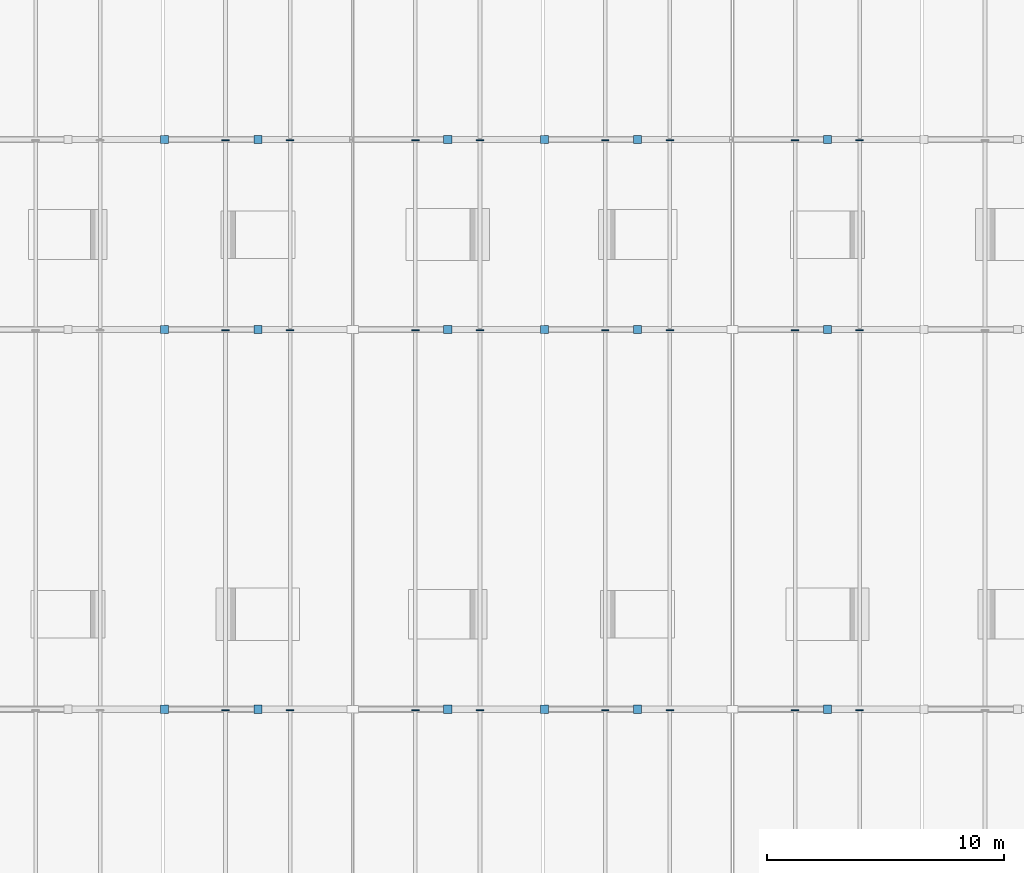
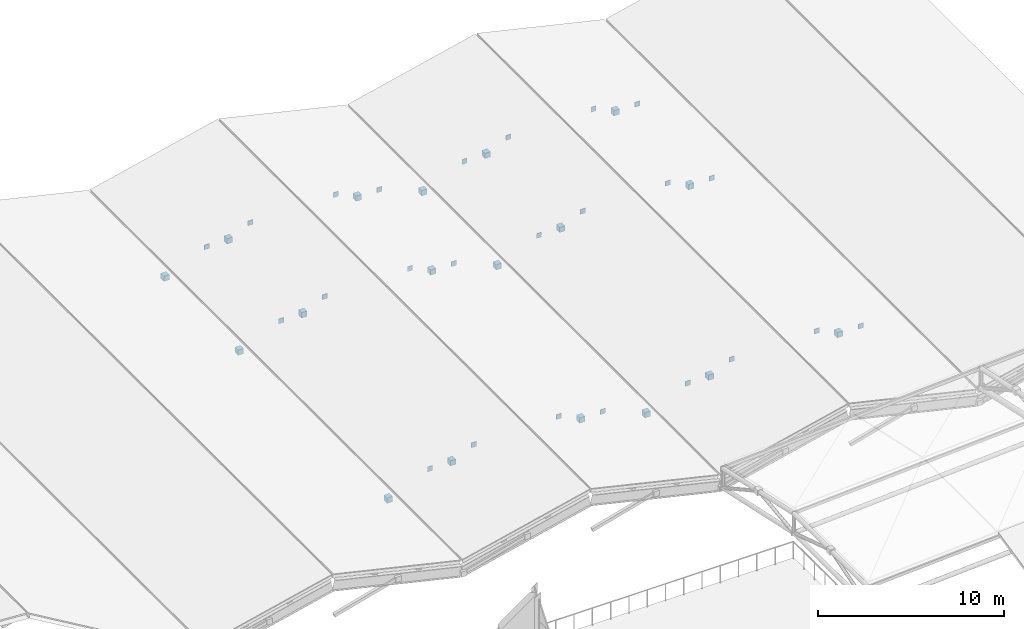
# One storey, part 54 of 67: 42 discrete accessories.
"""IFC4 building model written with IfcOpenShell, lengths in metres."""

from ifc_helpers import new_model, si_unit, direction, frame, origin, origin_2d, place, context, subcontext, project, spatial, rectangle, extrude, material, type_object, element, save


model = new_model("IFC4")

# Units and contexts
model_context = context("Model", 3, precision=1e-05, world=origin(), true_north=direction((0.0, 1.0)))
body_context = subcontext(model_context, "Body", "Model", "MODEL_VIEW")
ifc_project = project(units=[si_unit("LENGTHUNIT", "METRE"), si_unit("AREAUNIT", "SQUARE_METRE"), si_unit("VOLUMEUNIT", "CUBIC_METRE"), si_unit("PLANEANGLEUNIT", "RADIAN"), si_unit("MASSUNIT", "GRAM", prefix="KILO")], contexts=[model_context])

# Site, building, storey
site_placement = place(None, origin())
site = spatial("IfcSite", under=ifc_project, at=site_placement, CompositionType="ELEMENT")
building_placement = place(site_placement, origin())
building = spatial("IfcBuilding", under=site, at=building_placement, Name="Drelvath Fold Interchange", CompositionType="ELEMENT")
storey_placement = place(building_placement, frame((0.0, 0.0, 15.60009765625)))
storey = spatial("IfcBuildingStorey", under=building, at=storey_placement, Name="L03", CompositionType="ELEMENT", Elevation=15.60009765625)

# Discrete accessories
ifc_material = material(Name="Steel ASTM A572 Grade 50", Category="steel")
discrete_accessory_type = type_object("IfcDiscreteAccessoryType", Name="AC-CAP380", PredefinedType="BRACKET", material=ifc_material)
for number, where, z_axis, x_axis, name in (
    (1, (36.074951171875, 67.0, -0.42236328125), (0.0, 0.0, 1.0), (1.0, 0.0, 0.0), "Welded hollow member end cap 383"),
    (2, (40.0048828125, 67.0, 0.654296875), (0.0, 0.0, 1.0), (1.0, 0.0, 0.0), "Welded hollow member end cap 384"),
    (3, (36.074951171875, 83.0, -0.42236328125), (0.0, 0.0, 1.0), (1.0, 0.0, 0.0), "Welded hollow member end cap 386"),
    (4, (40.0048828125, 83.0, 0.654296875), (0.0, 0.0, 1.0), (1.0, 0.0, 0.0), "Welded hollow member end cap 387"),
    (5, (36.074951171875, 91.0, -0.42236328125), (0.0, 0.0, 1.0), (1.0, 0.0, 0.0), "Welded hollow member end cap 389"),
    (6, (40.0048828125, 91.0, 0.654296875), (0.0, 0.0, 1.0), (1.0, 0.0, 0.0), "Welded hollow member end cap 390"),
):
    element("IfcDiscreteAccessory", number, at=place(storey_placement, frame(where, z_axis=z_axis, x_axis=x_axis)), inside=storey, type_object=discrete_accessory_type, Name=name, PredefinedType="BRACKET", context=body_context, shape_type="SweptSolid", body=[
        extrude(rectangle(XDim=0.343017578125, YDim=0.343017578125, at=origin_2d()), origin(), (0.0, 0.0, 1.0), 0.343017578125),
    ])
for number, where, z_axis, x_axis, name in (
    (7, (38.639892578125, 66.965087890625, 0.6708984375), (0.0, 0.0, 1.0), (1.0, 0.0, 0.0), "Welded hollow member end cap 395"),
    (8, (38.639892578125, 82.965087890625, 0.6708984375), (0.0, 0.0, 1.0), (1.0, 0.0, 0.0), "Welded hollow member end cap 396"),
    (9, (38.639892578125, 90.965087890625, 0.6708984375), (0.0, 0.0, 1.0), (1.0, 0.0, 0.0), "Welded hollow member end cap 397"),
    (10, (41.360107421875, 66.965087890625, 1.2998046875), (0.0, 0.0, 1.0), (1.0, 0.0, 0.0), "Welded hollow member end cap 400"),
    (11, (41.360107421875, 82.965087890625, 1.2998046875), (0.0, 0.0, 1.0), (1.0, 0.0, 0.0), "Welded hollow member end cap 401"),
    (12, (41.360107421875, 90.965087890625, 1.2998046875), (0.0, 0.0, 1.0), (1.0, 0.0, 0.0), "Welded hollow member end cap 402"),
):
    element("IfcDiscreteAccessory", number, at=place(storey_placement, frame(where, z_axis=z_axis, x_axis=x_axis)), inside=storey, type_object=discrete_accessory_type, Name=name, PredefinedType="BRACKET", context=body_context, shape_type="SweptSolid", body=[
        extrude(rectangle(XDim=0.31396484375, YDim=0.0400390625, at=origin_2d()), origin(), (0.0, 0.0, 1.0), 0.31396484375),
    ])
for number, where, z_axis, x_axis, name in (
    (13, (48.0048828125, 67.0, 0.654296875), (0.0, 0.0, 1.0), (1.0, 0.0, 0.0), "Welded hollow member end cap 407"),
    (14, (48.0048828125, 83.0, 0.654296875), (0.0, 0.0, 1.0), (1.0, 0.0, 0.0), "Welded hollow member end cap 409"),
    (15, (48.0048828125, 91.0, 0.654296875), (0.0, 0.0, 1.0), (1.0, 0.0, 0.0), "Welded hollow member end cap 411"),
):
    element("IfcDiscreteAccessory", number, at=place(storey_placement, frame(where, z_axis=z_axis, x_axis=x_axis)), inside=storey, type_object=discrete_accessory_type, Name=name, PredefinedType="BRACKET", context=body_context, shape_type="SweptSolid", body=[
        extrude(rectangle(XDim=0.343017578125, YDim=0.343017578125, at=origin_2d()), origin(), (0.0, 0.0, 1.0), 0.343017578125),
    ])
for number, where, z_axis, x_axis, name in (
    (16, (46.639892578125, 66.965087890625, 1.2998046875), (0.0, 0.0, 1.0), (1.0, 0.0, 0.0), "Welded hollow member end cap 415"),
    (17, (46.639892578125, 82.965087890625, 1.2998046875), (0.0, 0.0, 1.0), (1.0, 0.0, 0.0), "Welded hollow member end cap 416"),
    (18, (46.639892578125, 90.965087890625, 1.2998046875), (0.0, 0.0, 1.0), (1.0, 0.0, 0.0), "Welded hollow member end cap 417"),
    (19, (49.360107421875, 66.965087890625, 0.6708984375), (0.0, 0.0, 1.0), (1.0, 0.0, 0.0), "Welded hollow member end cap 420"),
    (20, (49.360107421875, 82.965087890625, 0.6708984375), (0.0, 0.0, 1.0), (1.0, 0.0, 0.0), "Welded hollow member end cap 421"),
    (21, (49.360107421875, 90.965087890625, 0.6708984375), (0.0, 0.0, 1.0), (1.0, 0.0, 0.0), "Welded hollow member end cap 422"),
):
    element("IfcDiscreteAccessory", number, at=place(storey_placement, frame(where, z_axis=z_axis, x_axis=x_axis)), inside=storey, type_object=discrete_accessory_type, Name=name, PredefinedType="BRACKET", context=body_context, shape_type="SweptSolid", body=[
        extrude(rectangle(XDim=0.31396484375, YDim=0.0400390625, at=origin_2d()), origin(), (0.0, 0.0, 1.0), 0.31396484375),
    ])
for number, where, z_axis, x_axis, name in (
    (22, (52.074951171875, 67.0, -0.42236328125), (0.0, 0.0, 1.0), (1.0, 0.0, 0.0), "Welded hollow member end cap 428"),
    (23, (56.0048828125, 67.0, 0.654296875), (0.0, 0.0, 1.0), (1.0, 0.0, 0.0), "Welded hollow member end cap 429"),
    (24, (52.074951171875, 83.0, -0.42236328125), (0.0, 0.0, 1.0), (1.0, 0.0, 0.0), "Welded hollow member end cap 431"),
    (25, (56.0048828125, 83.0, 0.654296875), (0.0, 0.0, 1.0), (1.0, 0.0, 0.0), "Welded hollow member end cap 432"),
    (26, (52.074951171875, 91.0, -0.42236328125), (0.0, 0.0, 1.0), (1.0, 0.0, 0.0), "Welded hollow member end cap 434"),
    (27, (56.0048828125, 91.0, 0.654296875), (0.0, 0.0, 1.0), (1.0, 0.0, 0.0), "Welded hollow member end cap 435"),
):
    element("IfcDiscreteAccessory", number, at=place(storey_placement, frame(where, z_axis=z_axis, x_axis=x_axis)), inside=storey, type_object=discrete_accessory_type, Name=name, PredefinedType="BRACKET", context=body_context, shape_type="SweptSolid", body=[
        extrude(rectangle(XDim=0.343017578125, YDim=0.343017578125, at=origin_2d()), origin(), (0.0, 0.0, 1.0), 0.343017578125),
    ])
for number, where, z_axis, x_axis, name in (
    (28, (54.639892578125, 66.965087890625, 0.6708984375), (0.0, 0.0, 1.0), (1.0, 0.0, 0.0), "Welded hollow member end cap 440"),
    (29, (54.639892578125, 82.965087890625, 0.6708984375), (0.0, 0.0, 1.0), (1.0, 0.0, 0.0), "Welded hollow member end cap 441"),
    (30, (54.639892578125, 90.965087890625, 0.6708984375), (0.0, 0.0, 1.0), (1.0, 0.0, 0.0), "Welded hollow member end cap 442"),
    (31, (57.360107421875, 66.965087890625, 1.2998046875), (0.0, 0.0, 1.0), (1.0, 0.0, 0.0), "Welded hollow member end cap 445"),
    (32, (57.360107421875, 82.965087890625, 1.2998046875), (0.0, 0.0, 1.0), (1.0, 0.0, 0.0), "Welded hollow member end cap 446"),
    (33, (57.360107421875, 90.965087890625, 1.2998046875), (0.0, 0.0, 1.0), (1.0, 0.0, 0.0), "Welded hollow member end cap 447"),
):
    element("IfcDiscreteAccessory", number, at=place(storey_placement, frame(where, z_axis=z_axis, x_axis=x_axis)), inside=storey, type_object=discrete_accessory_type, Name=name, PredefinedType="BRACKET", context=body_context, shape_type="SweptSolid", body=[
        extrude(rectangle(XDim=0.31396484375, YDim=0.0400390625, at=origin_2d()), origin(), (0.0, 0.0, 1.0), 0.31396484375),
    ])
for number, where, z_axis, x_axis, name in (
    (34, (64.0048828125, 67.0, 0.654296875), (0.0, 0.0, 1.0), (1.0, 0.0, 0.0), "Welded hollow member end cap 452"),
    (35, (64.0048828125, 83.0, 0.654296875), (0.0, 0.0, 1.0), (1.0, 0.0, 0.0), "Welded hollow member end cap 454"),
    (36, (64.0048828125, 91.0, 0.654296875), (0.0, 0.0, 1.0), (1.0, 0.0, 0.0), "Welded hollow member end cap 456"),
):
    element("IfcDiscreteAccessory", number, at=place(storey_placement, frame(where, z_axis=z_axis, x_axis=x_axis)), inside=storey, type_object=discrete_accessory_type, Name=name, PredefinedType="BRACKET", context=body_context, shape_type="SweptSolid", body=[
        extrude(rectangle(XDim=0.343017578125, YDim=0.343017578125, at=origin_2d()), origin(), (0.0, 0.0, 1.0), 0.343017578125),
    ])
for number, where, z_axis, x_axis, name in (
    (37, (62.639892578125, 66.965087890625, 1.2998046875), (0.0, 0.0, 1.0), (1.0, 0.0, 0.0), "Welded hollow member end cap 460"),
    (38, (62.639892578125, 82.965087890625, 1.2998046875), (0.0, 0.0, 1.0), (1.0, 0.0, 0.0), "Welded hollow member end cap 461"),
    (39, (62.639892578125, 90.965087890625, 1.2998046875), (0.0, 0.0, 1.0), (1.0, 0.0, 0.0), "Welded hollow member end cap 462"),
    (40, (65.360107421875, 66.965087890625, 0.6708984375), (0.0, 0.0, 1.0), (1.0, 0.0, 0.0), "Welded hollow member end cap 465"),
    (41, (65.360107421875, 82.965087890625, 0.6708984375), (0.0, 0.0, 1.0), (1.0, 0.0, 0.0), "Welded hollow member end cap 466"),
    (42, (65.360107421875, 90.965087890625, 0.6708984375), (0.0, 0.0, 1.0), (1.0, 0.0, 0.0), "Welded hollow member end cap 467"),
):
    element("IfcDiscreteAccessory", number, at=place(storey_placement, frame(where, z_axis=z_axis, x_axis=x_axis)), inside=storey, type_object=discrete_accessory_type, Name=name, PredefinedType="BRACKET", context=body_context, shape_type="SweptSolid", body=[
        extrude(rectangle(XDim=0.31396484375, YDim=0.0400390625, at=origin_2d()), origin(), (0.0, 0.0, 1.0), 0.31396484375),
    ])

save(model, "model.ifc")
